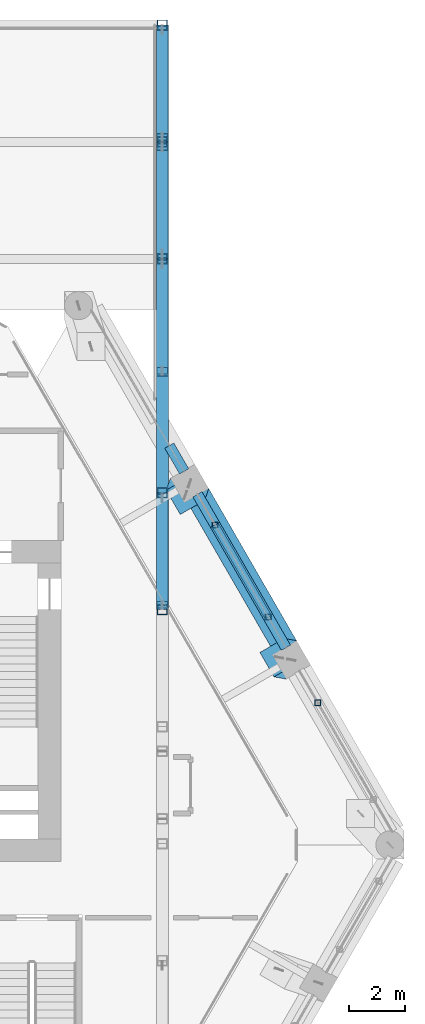
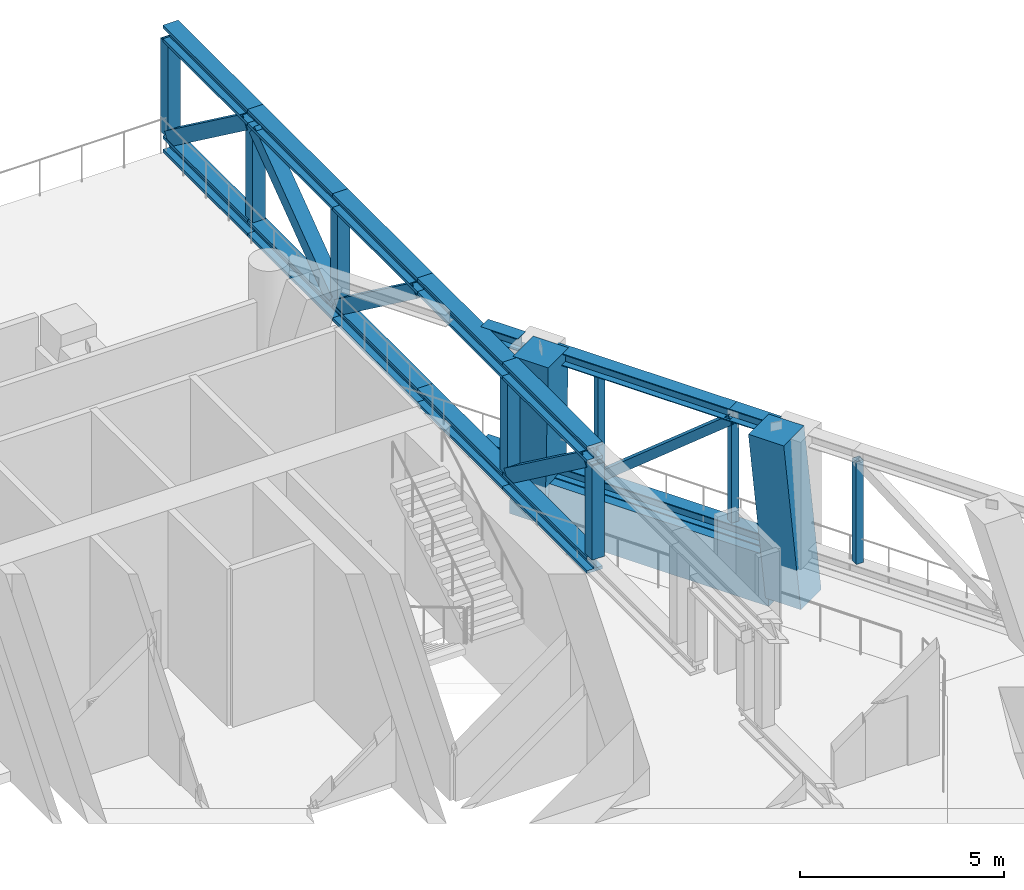
# One storey, part 8 of 22: 31 members, 1 beam.
"""IFC4 building model written with IfcOpenShell, lengths in metres."""

from ifc_helpers import new_model, si_unit, direction, frame, origin, origin_2d, place, context, subcontext, project, spatial, rectangle, hollow_rectangle, i_section, extrude, material, material_profile, profile_set, type_object, element, save


model = new_model("IFC4")

# Units and contexts
model_context = context("Model", 3, precision=1e-05, world=origin(), true_north=direction((0.0, 1.0)))
body_context = subcontext(model_context, "Body", "Model", "MODEL_VIEW")
ifc_project = project(units=[si_unit("LENGTHUNIT", "METRE"), si_unit("AREAUNIT", "SQUARE_METRE"), si_unit("VOLUMEUNIT", "CUBIC_METRE"), si_unit("PLANEANGLEUNIT", "RADIAN"), si_unit("MASSUNIT", "GRAM", prefix="KILO")], contexts=[model_context])

# Site, building, storey
site_placement = place(None, origin())
site = spatial("IfcSite", under=ifc_project, at=site_placement, CompositionType="ELEMENT")
building_placement = place(site_placement, origin())
building = spatial("IfcBuilding", under=site, at=building_placement, Name="Ostrander Bayou Hotel Tower", CompositionType="ELEMENT")
storey_placement = place(building_placement, frame((0.0, 0.0, 209.5)))
storey = spatial("IfcBuildingStorey", under=building, at=storey_placement, Name="L52", CompositionType="ELEMENT", Elevation=209.5)

# Members
ifc_material_1 = material(Name="Steel ASTM A992", Category="steel")
ifc_material_profile_1 = material_profile(ifc_material_1, i_section(OverallWidth=0.37255859375, OverallDepth=0.36767578125, WebThickness=0.014892578125, FlangeThickness=0.02392578125, at=origin_2d()))
ifc_profile_set_1 = profile_set([ifc_material_profile_1], Name="Steel ASTM A992")
member_type_1 = type_object("IfcMemberType", Name="BT5 belt truss chord W14x120", PredefinedType="CHORD", material=ifc_profile_set_1)
member_1_placement = place(storey_placement, frame((16.501953125, 5.892333984375, 0.183837890625), z_axis=(-0.500017548753, 0.86601527177, 0.0), x_axis=(-0.86601527177, -0.500017548753, 0.0)))
element("IfcMember", 1, at=member_1_placement, inside=storey, type_object=member_type_1, Name="BT5 L52 NE-2B1", PredefinedType="CHORD", context=body_context, shape_type="SweptSolid", body=[
    extrude(i_section(OverallWidth=0.37255859375, OverallDepth=0.36767578125, WebThickness=0.014892578125, FlangeThickness=0.02392578125, at=origin_2d()), origin(), (0.0, 0.0, 1.0), 5.036865234375),
])
for number, where, z_axis, x_axis, name in (
    (2, (13.9833984375, 10.25439453125, 0.183837890625), (-0.499996560828, 0.866027389382, 0.0), (-0.866027389382, -0.499996560828, 0.0), "BT5 L52 NE-2B2"),
    (3, (16.501953125, 5.892333984375, 3.6162109375), (-0.499996560828, 0.866027389382, 0.0), (-0.866027389382, -0.499996560828, 0.0), "BT5 L52 NE-2T1"),
):
    element("IfcMember", number, at=place(storey_placement, frame(where, z_axis=z_axis, x_axis=x_axis)), inside=storey, type_object=member_type_1, Name=name, PredefinedType="CHORD", context=body_context, shape_type="SweptSolid", body=[
        extrude(i_section(OverallWidth=0.37255859375, OverallDepth=0.36767578125, WebThickness=0.014892578125, FlangeThickness=0.02392578125, at=origin_2d()), origin(), (0.0, 0.0, 1.0), 1.25927734375),
    ])
member_2_placement = place(storey_placement, frame((15.872314453125, 6.98291015625, 3.6162109375), z_axis=(-0.500017548753, 0.86601527177, 0.0), x_axis=(-0.86601527177, -0.500017548753, 0.0)))
element("IfcMember", 4, at=member_2_placement, inside=storey, type_object=member_type_1, Name="BT5 L52 NE-2T2", PredefinedType="CHORD", context=body_context, shape_type="SweptSolid", body=[
    extrude(i_section(OverallWidth=0.37255859375, OverallDepth=0.36767578125, WebThickness=0.014892578125, FlangeThickness=0.02392578125, at=origin_2d()), origin(), (0.0, 0.0, 1.0), 5.036865234375),
])
for number, where, z_axis, x_axis, name in (
    (5, (12.8837890625, 12.158935546875, 0.183837890625), (-0.50006949096, 0.865985279442, 0.0), (-0.865985279442, -0.50006949096, 0.0), "BT5 L52 NE-3B1"),
    (6, (12.8837890625, 12.158935546875, 3.6162109375), (-0.50006949096, 0.865985279442, 0.0), (-0.865985279442, -0.50006949096, 0.0), "BT5 L52 NE-3T1"),
):
    element("IfcMember", number, at=place(storey_placement, frame(where, z_axis=z_axis, x_axis=x_axis)), inside=storey, type_object=member_type_1, Name=name, PredefinedType="CHORD", context=body_context, shape_type="SweptSolid", body=[
        extrude(i_section(OverallWidth=0.37255859375, OverallDepth=0.36767578125, WebThickness=0.014892578125, FlangeThickness=0.02392578125, at=origin_2d()), origin(), (0.0, 0.0, 1.0), 1.055419921875),
    ])
ifc_material_2 = material(Name="Steel ASTM A500 Gr C", Category="steel")
ifc_material_profile_2 = material_profile(ifc_material_2, hollow_rectangle(XDim=0.25390625, YDim=0.25390625, WallThickness=0.01171875, at=origin_2d()))
ifc_profile_set_2 = profile_set([ifc_material_profile_2], Name="Steel ASTM A500 Gr C")
member_type_2 = type_object("IfcMemberType", Name="BT6 belt truss diagonal HSS10x10x1/2", PredefinedType="BRACE", material=ifc_profile_set_2)
member_3_placement = place(storey_placement, frame((13.9833984375, 10.25439453125, 0.367919921875), z_axis=(0.388333955618, -0.672570118299, 0.629957280207), x_axis=(0.866011232227, 0.500024545055, 0.0)))
element("IfcMember", 7, at=member_3_placement, inside=storey, type_object=member_type_2, Name="BT6 L52 NE-2D", PredefinedType="BRACE", context=body_context, shape_type="SweptSolid", body=[
    extrude(hollow_rectangle(XDim=0.25390625, YDim=0.25390625, WallThickness=0.01171875, at=origin_2d()), origin(), (0.0, 0.0, 1.0), 4.8642578125),
])
ifc_material_3 = material(Name="Steel ASTM A500 Gr C", Category="steel")
ifc_material_profile_3 = material_profile(ifc_material_3, hollow_rectangle(XDim=0.203125, YDim=0.203125, WallThickness=0.0087890625, at=origin_2d()))
ifc_profile_set_3 = profile_set([ifc_material_profile_3], Name="Steel ASTM A500 Gr C")
member_type_3 = type_object("IfcMemberType", Name="BT9 belt truss vertical HSS8x8x3/8", PredefinedType="POST", material=ifc_profile_set_3)
for number, where, z_axis, x_axis, name in (
    (8, (17.632568359375, 3.93408203125, 0.367919921875), (0.0, 0.0, 1.0), (1.0, 0.0, 0.0), "BT9 L52 NE-1V2"),
    (9, (15.872314453125, 6.98291015625, 0.367919921875), (0.0, 0.0, 1.0), (1.0, 0.0, 0.0), "BT9 L52 NE-2V1"),
    (10, (13.9833984375, 10.25439453125, 0.367919921875), (0.0, 0.0, 1.0), (1.0, 0.0, 0.0), "BT9 L52 NE-2V2"),
):
    element("IfcMember", number, at=place(storey_placement, frame(where, z_axis=z_axis, x_axis=x_axis)), inside=storey, type_object=member_type_3, Name=name, PredefinedType="POST", context=body_context, shape_type="SweptSolid", body=[
        extrude(hollow_rectangle(XDim=0.203125, YDim=0.203125, WallThickness=0.0087890625, at=origin_2d()), origin(), (0.0, 0.0, 1.0), 3.064208984375),
    ])
ifc_material_4 = material(Name="Concrete f'c 60 MPa", Category="concrete")
ifc_material_profile_4 = material_profile(ifc_material_4, rectangle(XDim=1.0, YDim=1.0, at=origin_2d()))
ifc_profile_set_4 = profile_set([ifc_material_profile_4], Name="Concrete f'c 60 MPa")
member_type_4 = type_object("IfcMemberType", Name="KC3 kinked column 1000 x 1000 mm f'c 60 MPa", PredefinedType="STRUT", material=ifc_profile_set_4)
member_4_placement = place(storey_placement, frame((16.693603515625, 5.460205078125, -1.199951171875), z_axis=(0.0, 0.0, 1.0), x_axis=(0.5, -0.866025403784, 0.0)))
element("IfcMember", 11, at=member_4_placement, inside=storey, type_object=member_type_4, Name="KC3 L52 NE1", PredefinedType="STRUT", context=body_context, shape_type="SweptSolid", body=[
    extrude(rectangle(XDim=1.0, YDim=1.0, at=origin_2d()), origin(), (-0.057549468716, -0.067189303641, 0.996079141498), 5.019775390625),
])
member_5_placement = place(storey_placement, frame((13.075439453125, 11.726806640625, -1.199951171875), z_axis=(0.0, 0.0, 1.0), x_axis=(0.5, -0.866025403784, 0.0)))
element("IfcMember", 12, at=member_5_placement, inside=storey, type_object=member_type_4, Name="KC3 L52 NE2", PredefinedType="STRUT", context=body_context, shape_type="SweptSolid", body=[
    extrude(rectangle(XDim=1.0, YDim=1.0, at=origin_2d()), origin(), (0.057482427819, -0.067164965349, 0.996084653994), 5.019775390625),
])

# Beam
ifc_material_5 = material(Name="Concrete f'c 60 MPa", Category="concrete")
ifc_material_profile_5 = material_profile(ifc_material_5, rectangle(XDim=0.89990234375, YDim=1.5, at=origin_2d()))
ifc_profile_set_5 = profile_set([ifc_material_profile_5], Name="Concrete f'c 60 MPa")
beam_type = type_object("IfcBeamType", Name="SPB3 belt spandrel beam 900 x 1500 mm f'c 60 MPa", PredefinedType="SPANDREL", material=ifc_profile_set_5)
beam_placement = place(storey_placement, frame((16.501953125, 5.892333984375, -0.75), z_axis=(-0.500013351051, 0.866017695414, 0.0), x_axis=(-0.866017695414, -0.500013351051, 0.0)))
element("IfcBeam", 13, at=beam_placement, inside=storey, type_object=beam_type, Name="SP3 L52 NE-2", PredefinedType="SPANDREL", context=body_context, shape_type="SweptSolid", body=[
    extrude(rectangle(XDim=0.89990234375, YDim=1.5, at=origin_2d()), origin(), (0.0, 0.0, 1.0), 6.296142578125),
])

# Members
ifc_material_6 = material(Name="Steel ASTM A992", Category="steel")
ifc_material_profile_6 = material_profile(ifc_material_6, i_section(OverallWidth=0.43212890625, OverallDepth=0.497802734375, WebThickness=0.0556640625, FlangeThickness=0.0888671875, at=origin_2d()))
ifc_profile_set_6 = profile_set([ifc_material_profile_6], Name="Steel ASTM A992")
member_type_5 = type_object("IfcMemberType", Name="TT1 through-truss chord W14x500", PredefinedType="CHORD", material=ifc_profile_set_6)
for number, where, z_axis, x_axis, name in (
    (14, (12.110107421875, 28.01611328125, 0.248779296875), (0.0, -1.0, 0.0), (1.0, 0.0, 0.0), "TT1 SB4B B1"),
    (15, (12.110107421875, 28.01611328125, 3.551025390625), (0.0, -1.0, 0.0), (1.0, 0.0, 0.0), "TT1 SB4B T1"),
):
    element("IfcMember", number, at=place(storey_placement, frame(where, z_axis=z_axis, x_axis=x_axis)), inside=storey, type_object=member_type_5, Name=name, PredefinedType="CHORD", context=body_context, shape_type="SweptSolid", body=[
        extrude(i_section(OverallWidth=0.43212890625, OverallDepth=0.497802734375, WebThickness=0.0556640625, FlangeThickness=0.0888671875, at=origin_2d()), origin(), (0.0, 0.0, 1.0), 4.15478515625),
    ])
for number, where, z_axis, x_axis, name in (
    (16, (12.110107421875, 23.861328125, 0.248779296875), (0.0, -1.0, 0.0), (1.0, 0.0, 0.0), "TT1 SB4B B2"),
    (17, (12.110107421875, 23.861328125, 3.551025390625), (0.0, -1.0, 0.0), (1.0, 0.0, 0.0), "TT1 SB4B T2"),
):
    element("IfcMember", number, at=place(storey_placement, frame(where, z_axis=z_axis, x_axis=x_axis)), inside=storey, type_object=member_type_5, Name=name, PredefinedType="CHORD", context=body_context, shape_type="SweptSolid", body=[
        extrude(i_section(OverallWidth=0.43212890625, OverallDepth=0.497802734375, WebThickness=0.0556640625, FlangeThickness=0.0888671875, at=origin_2d()), origin(), (0.0, 0.0, 1.0), 4.154541015625),
    ])
for number, where, z_axis, x_axis, name in (
    (18, (12.110107421875, 19.706787109375, 0.248779296875), (0.0, -1.0, 0.0), (1.0, 0.0, 0.0), "TT1 SB4B B3"),
    (19, (12.110107421875, 19.706787109375, 3.551025390625), (0.0, -1.0, 0.0), (1.0, 0.0, 0.0), "TT1 SB4B T3"),
    (20, (12.110107421875, 15.552001953125, 0.248779296875), (0.0, -1.0, 0.0), (1.0, 0.0, 0.0), "TT1 SB4B B4"),
    (21, (12.110107421875, 15.552001953125, 3.551025390625), (0.0, -1.0, 0.0), (1.0, 0.0, 0.0), "TT1 SB4B T4"),
    (22, (12.110107421875, 11.397216796875, 0.248779296875), (0.0, -1.0, 0.0), (1.0, 0.0, 0.0), "TT1 SB4B B5"),
    (23, (12.110107421875, 11.397216796875, 3.551025390625), (0.0, -1.0, 0.0), (1.0, 0.0, 0.0), "TT1 SB4B T5"),
):
    element("IfcMember", number, at=place(storey_placement, frame(where, z_axis=z_axis, x_axis=x_axis)), inside=storey, type_object=member_type_5, Name=name, PredefinedType="CHORD", context=body_context, shape_type="SweptSolid", body=[
        extrude(i_section(OverallWidth=0.43212890625, OverallDepth=0.497802734375, WebThickness=0.0556640625, FlangeThickness=0.0888671875, at=origin_2d()), origin(), (0.0, 0.0, 1.0), 4.15478515625),
    ])
ifc_material_7 = material(Name="Steel ASTM A500 Gr C", Category="steel")
ifc_material_profile_7 = material_profile(ifc_material_7, hollow_rectangle(XDim=0.355712890625, YDim=0.355712890625, WallThickness=0.0146484375, at=origin_2d()))
ifc_profile_set_7 = profile_set([ifc_material_profile_7], Name="Steel ASTM A500 Gr C")
member_type_6 = type_object("IfcMemberType", Name="TT2 through-truss post HSS14x14x5/8", PredefinedType="POST", material=ifc_profile_set_7)
for number, where, z_axis, x_axis, name in (
    (24, (12.110107421875, 28.01611328125, 0.497802734375), (0.0, 0.0, 1.0), (1.0, 0.0, 0.0), "TT2 SB4B P1"),
    (25, (12.110107421875, 23.861328125, 0.497802734375), (0.0, 0.0, 1.0), (1.0, 0.0, 0.0), "TT2 SB4B P2"),
    (26, (12.110107421875, 19.706787109375, 0.497802734375), (0.0, 0.0, 1.0), (1.0, 0.0, 0.0), "TT2 SB4B P3"),
    (27, (12.110107421875, 11.397216796875, 0.497802734375), (0.0, 0.0, 1.0), (1.0, 0.0, 0.0), "TT2 SB4B P5"),
    (28, (12.110107421875, 7.242431640625, 0.497802734375), (0.0, 0.0, 1.0), (1.0, 0.0, 0.0), "TT2 SB4B P6"),
):
    element("IfcMember", number, at=place(storey_placement, frame(where, z_axis=z_axis, x_axis=x_axis)), inside=storey, type_object=member_type_6, Name=name, PredefinedType="POST", context=body_context, shape_type="SweptSolid", body=[
        extrude(hollow_rectangle(XDim=0.355712890625, YDim=0.355712890625, WallThickness=0.0146484375, at=origin_2d()), origin(), (0.0, 0.0, 1.0), 2.804443359375),
    ])
ifc_material_8 = material(Name="Steel ASTM A572 Gr 50", Category="steel")
ifc_material_profile_8 = material_profile(ifc_material_8, hollow_rectangle(XDim=0.406494140625, YDim=0.406494140625, WallThickness=0.017822265625, at=origin_2d()))
ifc_profile_set_8 = profile_set([ifc_material_profile_8], Name="Steel ASTM A572 Gr 50")
member_type_7 = type_object("IfcMemberType", Name="TT3 through-truss diagonal box 16 x 16 x 3/4", PredefinedType="BRACE", material=ifc_profile_set_8)
for number, where, z_axis, x_axis, name in (
    (29, (12.110107421875, 27.83837890625, 0.497802734375), (0.0, -0.804537023237, 0.593902498935), (1.0, 0.0, 0.0), "TT3 SB4B D1"),
    (30, (12.110107421875, 19.884521484375, 0.497802734375), (0.0, 0.804537023237, 0.593902498935), (-1.0, 0.0, 0.0), "TT3 SB4B D2"),
    (31, (12.110107421875, 19.52880859375, 0.497802734375), (0.0, -0.804537023237, 0.593902498935), (1.0, 0.0, 0.0), "TT3 SB4B D3"),
    (32, (12.110107421875, 11.219482421875, 0.497802734375), (0.0, -0.804537023237, 0.593902498935), (1.0, 0.0, 0.0), "TT3 SB4B D5"),
):
    element("IfcMember", number, at=place(storey_placement, frame(where, z_axis=z_axis, x_axis=x_axis)), inside=storey, type_object=member_type_7, Name=name, PredefinedType="BRACE", context=body_context, shape_type="SweptSolid", body=[
        extrude(hollow_rectangle(XDim=0.406494140625, YDim=0.406494140625, WallThickness=0.017822265625, at=origin_2d()), origin(), (0.0, 0.0, 1.0), 4.72216796875),
    ])

save(model, "model.ifc")
